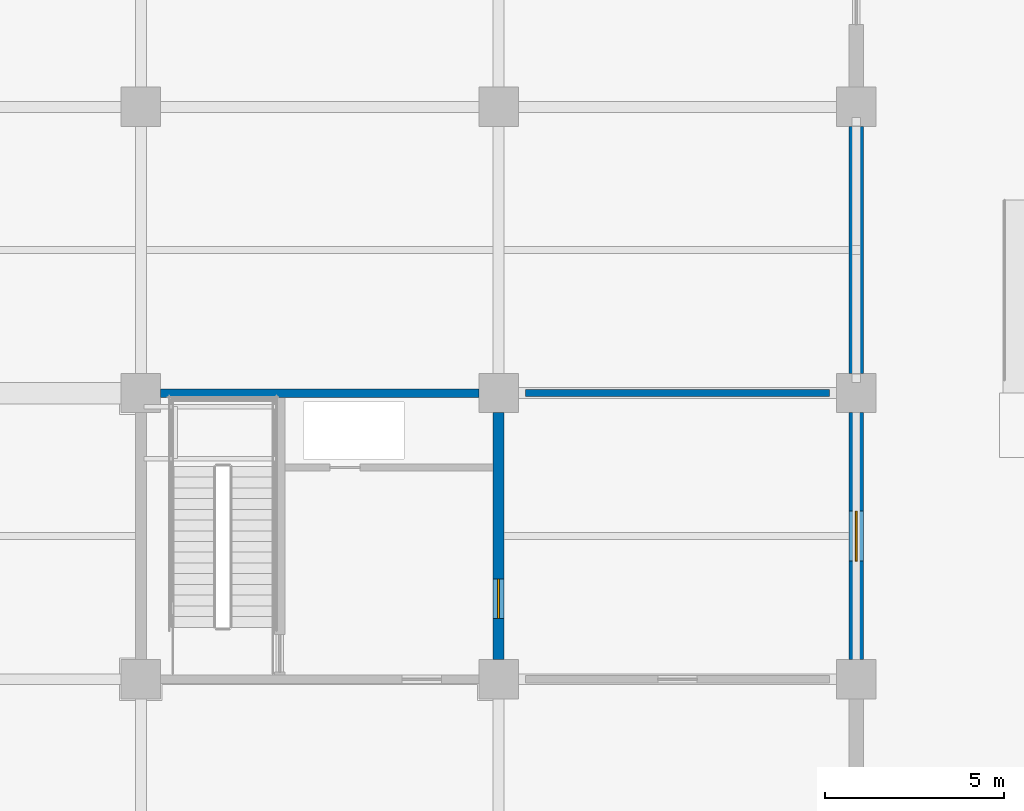
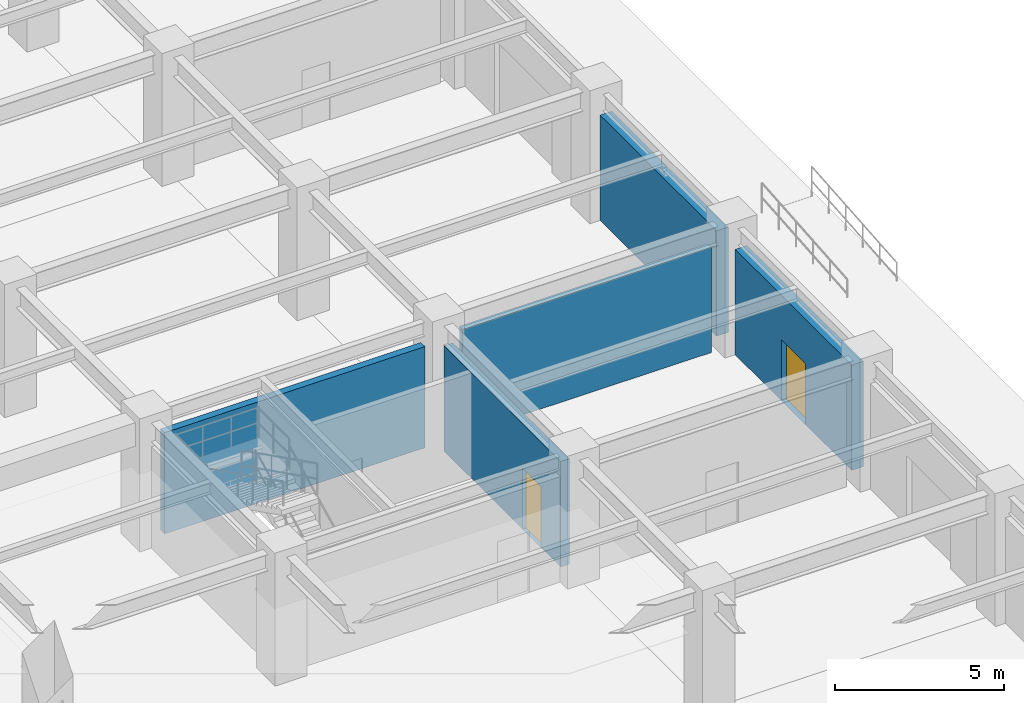
# One storey, part 87 of 125: 5 walls, 2 doors, 2 openings.
"""IFC4 building model written with IfcOpenShell, lengths in metres."""

from ifc_helpers import new_model, si_unit, direction, frame, frame_2d, origin, place, context, subcontext, project, spatial, rectangle, extrude, material, layer, layer_set, type_object, element, fill, save


model = new_model("IFC4")

# Units and contexts
model_context = context("Model", 3, precision=1e-05, world=origin(), true_north=direction((0.0, 1.0)))
body_context = subcontext(model_context, "Body", "Model", "MODEL_VIEW")
ifc_project = project(units=[si_unit("LENGTHUNIT", "METRE"), si_unit("AREAUNIT", "SQUARE_METRE"), si_unit("VOLUMEUNIT", "CUBIC_METRE"), si_unit("PLANEANGLEUNIT", "RADIAN"), si_unit("MASSUNIT", "GRAM", prefix="KILO")], contexts=[model_context])

# Site, building, storey
site_placement = place(None, origin())
site = spatial("IfcSite", under=ifc_project, at=site_placement, CompositionType="ELEMENT")
building_placement = place(site_placement, origin())
building = spatial("IfcBuilding", under=site, at=building_placement, Name="Haebicheon Civic Stadium", CompositionType="ELEMENT")
storey_placement = place(building_placement, origin())
storey = spatial("IfcBuildingStorey", under=building, at=storey_placement, Name="L01", CompositionType="ELEMENT", Elevation=0.0)

# Wall
ifc_material_1 = material(Name="Concrete C40/50", Category="concrete")
ifc_layer_1 = layer(ifc_material_1, 0.239990234375, Name="Concrete C40/50")
ifc_layer_set_1 = layer_set([ifc_layer_1], Name="Concrete C40/50")
wall_type_1 = type_object("IfcWallType", Name="CW-SHR-240", PredefinedType="SHEAR", material=ifc_layer_set_1)
wall_1_placement = place(storey_placement, frame((216.550048828125, 112.0, 0.0), z_axis=(0.0, 0.0, 1.0), x_axis=(1.0, 0.0, 0.0)))
element("IfcWall", 1, at=wall_1_placement, inside=storey, type_object=wall_type_1, material=ifc_layer_set_1, Name="KC-13 L01 north core shear wall", PredefinedType="SHEAR", context=body_context, shape_type="SweptSolid", body=[
    extrude(rectangle(XDim=8.89990234375, YDim=0.239990234375, at=frame_2d((4.449951171875, 0.0))), origin(), (0.0, 0.0, 1.0), 3.659912109375),
])

# Wall, opening, door
ifc_material_2 = material(Name="Concrete C40/50", Category="concrete")
ifc_layer_2 = layer(ifc_material_2, 0.300048828125, Name="Concrete C40/50")
ifc_layer_set_2 = layer_set([ifc_layer_2], Name="Concrete C40/50")
wall_type_2 = type_object("IfcWallType", Name="CW-SHR-300", PredefinedType="SHEAR", material=ifc_layer_set_2)
wall_2_placement = place(storey_placement, frame((226.0, 104.550048828125, 0.0), z_axis=(0.0, 0.0, 1.0), x_axis=(0.0, 1.0, 0.0)))
wall_2 = element("IfcWall", 2, at=wall_2_placement, inside=storey, type_object=wall_type_2, material=ifc_layer_set_2, Name="KC-13 L01 east core shear wall", PredefinedType="SHEAR", context=body_context, shape_type="SweptSolid", body=[
    extrude(rectangle(XDim=6.89990234375, YDim=0.300048828125, at=frame_2d((3.449951171875, 0.0))), origin(), (0.0, 0.0, 1.0), 3.81005859375),
])
opening_1_placement = place(wall_2_placement, frame((1.14990234375, 0.0, 0.0)))
opening_1 = element("IfcOpeningElement", 3, at=opening_1_placement, cuts=wall_2, Name="Opening D-L01-KC-13-PXP", PredefinedType="OPENING", context=body_context, shape_type="SweptSolid", body=[
    extrude(rectangle(XDim=1.10009765625, YDim=2.199951171875, at=frame_2d((0.550048828125, 1.10009765625))), frame((0.0, 0.159912109375, 0.0), z_axis=(0.0, -1.0, 0.0), x_axis=(1.0, 0.0, 0.0)), (0.0, 0.0, 1.0), 0.320068359375),
])
ifc_material_3 = material(Name="Galvanised painted steel SM355", Category="steel")
door_type_1 = type_object("IfcDoorType", Name="ID-FD-1100", OperationType="NOTDEFINED", PredefinedType="DOOR", material=ifc_material_3)
door_1_placement = place(opening_1_placement, origin())
door_1 = element("IfcDoor", 4, at=door_1_placement, inside=storey, type_object=door_type_1, material=ifc_material_3, Name="L01 KC-13 protected exit passage fire door", OperationType="SINGLE_SWING_LEFT", OverallHeight=2.199951171875, OverallWidth=1.10009765625, PredefinedType="DOOR", context=body_context, shape_type="SweptSolid", body=[
    extrude(rectangle(XDim=1.10009765625, YDim=2.199951171875, at=frame_2d((0.550048828125, 1.10009765625))), frame((0.0, 0.02490234375, 0.0), z_axis=(0.0, -1.0, 0.0), x_axis=(1.0, 0.0, 0.0)), (0.0, 0.0, 1.0), 0.050048828125),
])
fill(opening_1, door_1)

ifc_material_4 = material(Name="Concrete C40/50", Category="concrete")
ifc_layer_3 = layer(ifc_material_4, 0.39990234375, Name="Concrete C40/50")
ifc_layer_set_3 = layer_set([ifc_layer_3], Name="Concrete C40/50")
wall_type_3 = type_object("IfcWallType", Name="EW-BM-400", PredefinedType="SOLIDWALL", material=ifc_layer_set_3)
wall_3_placement = place(storey_placement, frame((236.0, 111.449951171875, 0.0), z_axis=(0.0, 0.0, 1.0), x_axis=(0.0, -1.0, 0.0)))
wall_3 = element("IfcWall", 5, at=wall_3_placement, inside=storey, type_object=wall_type_3, material=ifc_layer_set_3, Name="L01 board-marked concrete facade wall 29-13-E", PredefinedType="SOLIDWALL", context=body_context, shape_type="SweptSolid", body=[
    extrude(rectangle(XDim=6.89990234375, YDim=0.39990234375, at=frame_2d((3.449951171875, 0.0))), origin(), (0.0, 0.0, 1.0), 3.81005859375),
])
opening_2_placement = place(wall_3_placement, frame((2.75, 0.0, 0.0)))
opening_2 = element("IfcOpeningElement", 6, at=opening_2_placement, cuts=wall_3, Name="Opening DX08", PredefinedType="OPENING", context=body_context, shape_type="SweptSolid", body=[
    extrude(rectangle(XDim=1.39990234375, YDim=2.199951171875, at=frame_2d((0.699951171875, 1.10009765625))), frame((0.0, 0.2099609375, 0.0), z_axis=(0.0, -1.0, 0.0), x_axis=(1.0, 0.0, 0.0)), (0.0, 0.0, 1.0), 0.419921875),
])
ifc_material_5 = material(Name="Galvanised painted steel SM355", Category="steel")
door_type_2 = type_object("IfcDoorType", Name="ED-EXIT-1400", OperationType="NOTDEFINED", PredefinedType="DOOR", material=ifc_material_5)
door_2_placement = place(opening_2_placement, origin())
door_2 = element("IfcDoor", 7, at=door_2_placement, inside=storey, type_object=door_type_2, material=ifc_material_5, Name="Protected exit passage final exit door DX08", OperationType="SINGLE_SWING_LEFT", OverallHeight=2.199951171875, OverallWidth=1.39990234375, PredefinedType="DOOR", context=body_context, shape_type="SweptSolid", body=[
    extrude(rectangle(XDim=1.39990234375, YDim=2.199951171875, at=frame_2d((0.699951171875, 1.10009765625))), frame((0.0, 0.02490234375, 0.0), z_axis=(0.0, -1.0, 0.0), x_axis=(1.0, 0.0, 0.0)), (0.0, 0.0, 1.0), 0.050048828125),
])
fill(opening_2, door_2)

# Walls
wall_4_placement = place(storey_placement, frame((236.0, 112.550048828125, 0.0), z_axis=(0.0, 0.0, 1.0), x_axis=(0.0, 1.0, 0.0)))
element("IfcWall", 8, at=wall_4_placement, inside=storey, type_object=wall_type_3, material=ifc_layer_set_3, Name="L01 board-marked concrete facade wall 29-14-E", PredefinedType="SOLIDWALL", context=body_context, shape_type="SweptSolid", body=[
    extrude(rectangle(XDim=6.89990234375, YDim=0.39990234375, at=frame_2d((3.449951171875, 0.0))), origin(), (0.0, 0.0, 1.0), 3.81005859375),
])
ifc_material_6 = material(Name="Concrete C35/45", Category="concrete")
ifc_layer_4 = layer(ifc_material_6, 0.199951171875, Name="Concrete C35/45")
ifc_layer_set_4 = layer_set([ifc_layer_4], Name="Concrete C35/45")
wall_type_4 = type_object("IfcWallType", Name="IW-FIR-200", PredefinedType="PARTITIONING", material=ifc_layer_set_4)
wall_5_placement = place(storey_placement, frame((226.75, 112.0, 0.0), z_axis=(0.0, 0.0, 1.0), x_axis=(1.0, 0.0, 0.0)))
element("IfcWall", 9, at=wall_5_placement, inside=storey, type_object=wall_type_4, material=ifc_layer_set_4, Name="L01 KC-13 protected exit passage EI 120 wall 02", PredefinedType="PARTITIONING", context=body_context, shape_type="SweptSolid", body=[
    extrude(rectangle(XDim=8.5, YDim=0.199951171875, at=frame_2d((4.25, 0.0))), origin(), (0.0, 0.0, 1.0), 3.81005859375),
])

save(model, "model.ifc")
